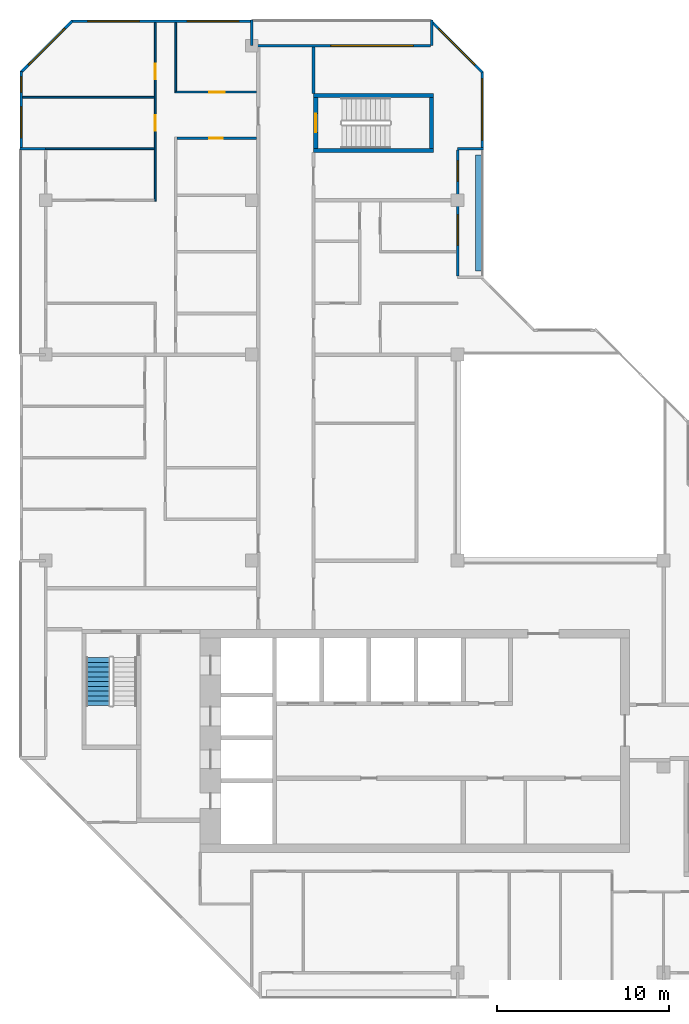
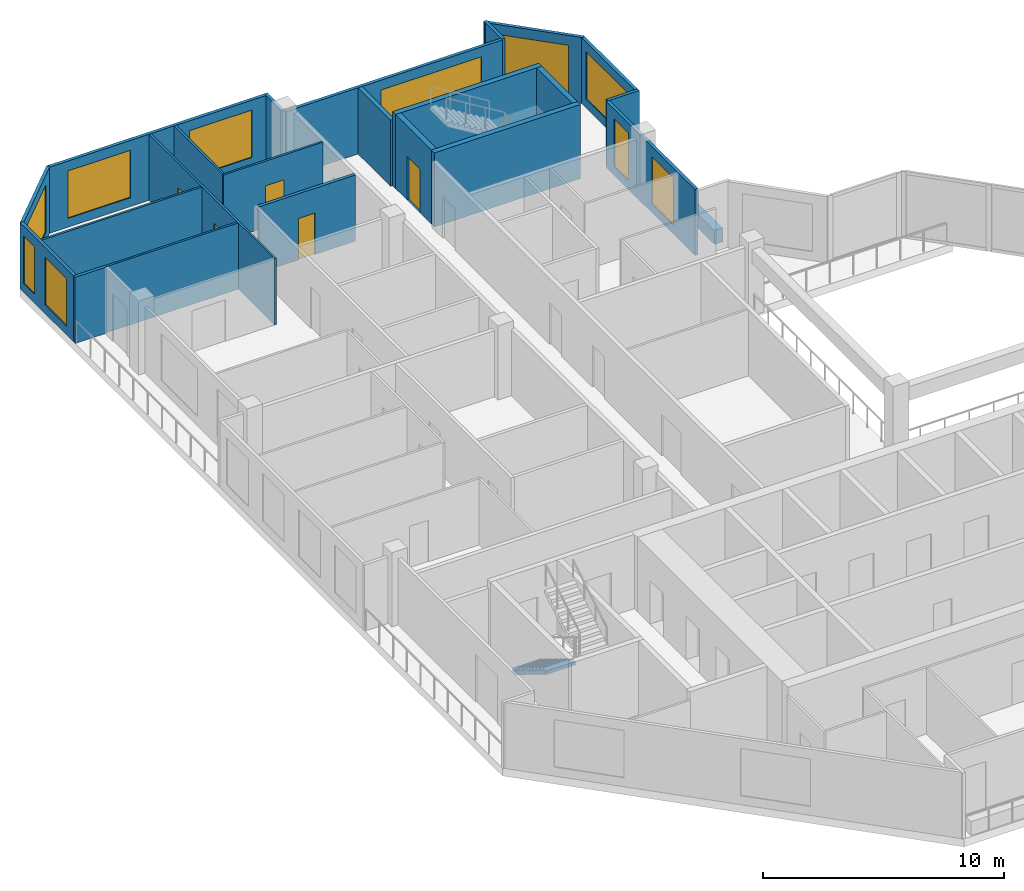
# One storey, part 9 of 12: 23 walls, 10 windows, 5 doors, 1 stair flight, 15 openings, 1 element without a shape of its own.
"""IFC4 building model written with IfcOpenShell, lengths in metres."""

from ifc_helpers import new_model, si_unit, direction, frame, frame_2d, origin, place, context, subcontext, project, spatial, polyline, rectangle, outline, extrude, material, layer, layer_set, type_object, element, fill, aggregate, save


model = new_model("IFC4")

# Units and contexts
model_context = context("Model", 3, precision=1e-05, world=origin(), true_north=direction((0.0, 1.0)))
body_context = subcontext(model_context, "Body", "Model", "MODEL_VIEW")
ifc_project = project(units=[si_unit("LENGTHUNIT", "METRE"), si_unit("AREAUNIT", "SQUARE_METRE"), si_unit("VOLUMEUNIT", "CUBIC_METRE"), si_unit("PLANEANGLEUNIT", "RADIAN"), si_unit("MASSUNIT", "GRAM", prefix="KILO")], contexts=[model_context])

# Site, building, storey
site_placement = place(None, origin())
site = spatial("IfcSite", under=ifc_project, at=site_placement, CompositionType="ELEMENT")
building_placement = place(site_placement, origin())
building = spatial("IfcBuilding", under=site, at=building_placement, Name="Chenar Terraces", CompositionType="ELEMENT")
storey_placement = place(building_placement, frame((0.0, 0.0, 365.14990234375)))
storey = spatial("IfcBuildingStorey", under=building, at=storey_placement, Name="L85", CompositionType="ELEMENT", Elevation=365.14990234375)

# Walls
ifc_material_1 = material(Name="Concrete C50/60", Category="concrete")
ifc_layer_1 = layer(ifc_material_1, 0.25)
ifc_layer_set_1 = layer_set([ifc_layer_1], Name="Concrete C50/60")
wall_type_1 = type_object("IfcWallType", Name="Core wall 250 Concrete C50/60", PredefinedType="SHEAR", material=ifc_layer_set_1)
for number, where, z_axis, x_axis, name in (
    (1, (15.60009765625, 47.89990234375, 0.0), (0.0, 0.0, 1.0), (1.0, 0.0, 0.0), "Core wall ST4_S L85"),
    (2, (15.60009765625, 51.10009765625, 0.0), (0.0, 0.0, 1.0), (1.0, 0.0, 0.0), "Core wall ST4_N L85"),
):
    element("IfcWall", number, at=place(storey_placement, frame(where, z_axis=z_axis, x_axis=x_axis)), inside=storey, type_object=wall_type_1, Name=name, PredefinedType="SHEAR", context=body_context, shape_type="SweptSolid", body=[
        extrude(rectangle(XDim=7.0, YDim=0.25, at=frame_2d((3.5, 0.0))), origin(), (0.0, 0.0, 1.0), 3.75),
    ])

# Wall, opening, door
wall_1_placement = place(storey_placement, frame((15.72509765625, 48.02490234375, 0.0), z_axis=(0.0, 0.0, 1.0), x_axis=(0.0, 1.0, 0.0)))
wall_1 = element("IfcWall", 3, at=wall_1_placement, inside=storey, type_object=wall_type_1, Name="Core wall ST4_W L85", PredefinedType="SHEAR", context=body_context, shape_type="SweptSolid", body=[
    extrude(rectangle(XDim=2.9501953125, YDim=0.25, at=frame_2d((1.47509765625, 0.0))), origin(), (0.0, 0.0, 1.0), 3.75),
])
opening_1_placement = place(wall_1_placement, frame((0.925048828125, 0.0, 0.0)))
opening_1 = element("IfcOpeningElement", 4, at=opening_1_placement, cuts=wall_1, Name="Opening DL85-C9", PredefinedType="OPENING", context=body_context, shape_type="SweptSolid", body=[
    extrude(rectangle(XDim=1.10009765625, YDim=2.199951171875, at=frame_2d((0.550048828125, 1.10009765625))), frame((0.0, 0.135009765625, 0.0), z_axis=(0.0, -1.0, 0.0), x_axis=(1.0, 0.0, 0.0)), (0.0, 0.0, 1.0), 0.27001953125),
])
ifc_material_2 = material(Name="Steel-framed fire-resisting door leaf", Category="steel")
door_type_1 = type_object("IfcDoorType", Name="Stair fire door FD60 1100 x 2200", OperationType="SINGLE_SWING_LEFT", PredefinedType="DOOR", material=ifc_material_2)
door_1_placement = place(opening_1_placement, frame((1.10009765625, 0.0, 0.0), z_axis=(0.0, 0.0, 1.0), x_axis=(-1.0, 0.0, 0.0)))
door_1 = element("IfcDoor", 5, at=door_1_placement, inside=storey, type_object=door_type_1, Name="Stair door DL85-C9", OperationType="SINGLE_SWING_RIGHT", OverallHeight=2.199951171875, OverallWidth=1.10009765625, PredefinedType="DOOR", context=body_context, shape_type="SweptSolid", body=[
    extrude(rectangle(XDim=1.10009765625, YDim=2.199951171875, at=frame_2d((0.550048828125, 1.10009765625))), frame((0.0, 0.02490234375, 0.0), z_axis=(0.0, -1.0, 0.0), x_axis=(1.0, 0.0, 0.0)), (0.0, 0.0, 1.0), 0.050048828125),
])
fill(opening_1, door_1)

# Walls
wall_2_placement = place(storey_placement, frame((22.47509765625, 48.02490234375, 0.0), z_axis=(0.0, 0.0, 1.0), x_axis=(0.0, 1.0, 0.0)))
element("IfcWall", 6, at=wall_2_placement, inside=storey, type_object=wall_type_1, Name="Core wall ST4_E L85", PredefinedType="SHEAR", context=body_context, shape_type="SweptSolid", body=[
    extrude(rectangle(XDim=2.9501953125, YDim=0.25, at=frame_2d((1.47509765625, 0.0))), origin(), (0.0, 0.0, 1.0), 3.75),
])
ifc_material_3 = material(Name="Gypsum board on steel studs with fire boards", Category="steel")
ifc_layer_2 = layer(ifc_material_3, 0.199951171875)
ifc_layer_set_2 = layer_set([ifc_layer_2], Name="Gypsum board on steel studs with fire boards")
wall_type_2 = type_object("IfcWallType", Name="Corridor wall 200", PredefinedType="PARTITIONING", material=ifc_layer_set_2)
wall_3_placement = place(storey_placement, frame((15.60009765625, 51.22509765625, 0.0), z_axis=(0.0, 0.0, 1.0), x_axis=(0.0, 1.0, 0.0)))
element("IfcWall", 7, at=wall_3_placement, inside=storey, type_object=wall_type_2, Name="Partition L85-033", PredefinedType="PARTITIONING", context=body_context, shape_type="SweptSolid", body=[
    extrude(rectangle(XDim=2.700927734375, YDim=0.199951171875, at=frame_2d((1.3505859375, 0.0))), origin(), (0.0, 0.0, 1.0), 3.35009765625),
])

# Wall, opening, window
ifc_material_4 = material(Name="Aluminium framed glazing", Category="aluminium")
ifc_layer_3 = layer(ifc_material_4, 0.14990234375)
ifc_layer_set_3 = layer_set([ifc_layer_3], Name="Aluminium framed glazing")
wall_type_3 = type_object("IfcWallType", Name="Glazed flush facade wall 150", PredefinedType="SOLIDWALL", material=ifc_layer_set_3)
wall_4_placement = place(storey_placement, frame((25.425048828125, 48.074951171875, 0.0), z_axis=(0.0, 0.0, 1.0), x_axis=(0.0, 1.0, 0.0)))
wall_4 = element("IfcWall", 8, at=wall_4_placement, inside=storey, type_object=wall_type_3, Name="Glazed flush facade wall", PredefinedType="SOLIDWALL", context=body_context, shape_type="SweptSolid", body=[
    extrude(rectangle(XDim=4.425048828125, YDim=0.14990234375, at=frame_2d((2.21240234375, 0.0))), origin(), (0.0, 0.0, 1.0), 3.35009765625),
])
opening_2_placement = place(wall_4_placement, frame((0.41259765625, 0.0, 0.449951171875)))
opening_2 = element("IfcOpeningElement", 9, at=opening_2_placement, cuts=wall_4, Name="Opening W360x240", PredefinedType="OPENING", context=body_context, shape_type="SweptSolid", body=[
    extrude(rectangle(XDim=3.60009765625, YDim=2.39990234375, at=frame_2d((1.800048828125, 1.199951171875))), frame((0.0, 0.0849609375, 0.0), z_axis=(0.0, -1.0, 0.0), x_axis=(1.0, 0.0, 0.0)), (0.0, 0.0, 1.0), 0.169921875),
])
ifc_material_5 = material(Name="Low emissivity double glazing, aluminium frame", Category="aluminium")
window_type_1 = type_object("IfcWindowType", Name="Fixed light 3600 x 2400", PartitioningType="SINGLE_PANEL", PredefinedType="WINDOW", material=ifc_material_5)
window_1_placement = place(opening_2_placement, origin())
window_1 = element("IfcWindow", 10, at=window_1_placement, inside=storey, type_object=window_type_1, Name="Window", OverallHeight=2.39990234375, OverallWidth=3.60009765625, PartitioningType="SINGLE_PANEL", PredefinedType="WINDOW", context=body_context, shape_type="SweptSolid", body=[
    extrude(rectangle(XDim=3.60009765625, YDim=2.39990234375, at=frame_2d((1.800048828125, 1.199951171875))), frame((0.0, 0.030029296875, 0.0), z_axis=(0.0, -1.0, 0.0), x_axis=(1.0, 0.0, 0.0)), (0.0, 0.0, 1.0), 0.06005859375),
])
fill(opening_2, window_1)

# Wall, openings, windows
wall_5_placement = place(storey_placement, frame((11.925048828125, 55.425048828125, 0.0), z_axis=(0.0, 0.0, 1.0), x_axis=(-1.0, 0.0, 0.0)))
wall_5 = element("IfcWall", 11, at=wall_5_placement, inside=storey, type_object=wall_type_3, Name="Glazed flush facade wall", PredefinedType="SOLIDWALL", context=body_context, shape_type="SweptSolid", body=[
    extrude(rectangle(XDim=10.425048828125, YDim=0.14990234375, at=frame_2d((5.21240234375, 0.0))), origin(), (0.0, 0.0, 1.0), 3.35009765625),
])
opening_3_placement = place(wall_5_placement, frame((0.675048828125, 0.0, 0.449951171875)))
opening_3 = element("IfcOpeningElement", 12, at=opening_3_placement, cuts=wall_5, Name="Opening W300x240", PredefinedType="OPENING", context=body_context, shape_type="SweptSolid", body=[
    extrude(rectangle(XDim=3.0, YDim=2.39990234375, at=frame_2d((1.5, 1.199951171875))), frame((0.0, 0.0849609375, 0.0), z_axis=(0.0, -1.0, 0.0), x_axis=(1.0, 0.0, 0.0)), (0.0, 0.0, 1.0), 0.169921875),
])
opening_4_placement = place(wall_5_placement, frame((6.487548828125, 0.0, 0.449951171875)))
opening_4 = element("IfcOpeningElement", 13, at=opening_4_placement, cuts=wall_5, Name="Opening W300x240", PredefinedType="OPENING", context=body_context, shape_type="SweptSolid", body=[
    extrude(rectangle(XDim=3.0, YDim=2.39990234375, at=frame_2d((1.5, 1.199951171875))), frame((0.0, 0.0849609375, 0.0), z_axis=(0.0, -1.0, 0.0), x_axis=(1.0, 0.0, 0.0)), (0.0, 0.0, 1.0), 0.169921875),
])
ifc_material_6 = material(Name="Low emissivity double glazing, aluminium frame", Category="aluminium")
window_type_2 = type_object("IfcWindowType", Name="Fixed light 3000 x 2400", PartitioningType="SINGLE_PANEL", PredefinedType="WINDOW", material=ifc_material_6)
window_2_placement = place(opening_3_placement, origin())
window_2 = element("IfcWindow", 14, at=window_2_placement, inside=storey, type_object=window_type_2, Name="Window", OverallHeight=2.39990234375, OverallWidth=3.0, PartitioningType="SINGLE_PANEL", PredefinedType="WINDOW", context=body_context, shape_type="SweptSolid", body=[
    extrude(rectangle(XDim=3.0, YDim=2.39990234375, at=frame_2d((1.5, 1.199951171875))), frame((0.0, 0.030029296875, 0.0), z_axis=(0.0, -1.0, 0.0), x_axis=(1.0, 0.0, 0.0)), (0.0, 0.0, 1.0), 0.06005859375),
])
fill(opening_3, window_2)
window_3_placement = place(opening_4_placement, origin())
window_3 = element("IfcWindow", 15, at=window_3_placement, inside=storey, type_object=window_type_2, Name="Window", OverallHeight=2.39990234375, OverallWidth=3.0, PartitioningType="SINGLE_PANEL", PredefinedType="WINDOW", context=body_context, shape_type="SweptSolid", body=[
    extrude(rectangle(XDim=3.0, YDim=2.39990234375, at=frame_2d((1.5, 1.199951171875))), frame((0.0, 0.030029296875, 0.0), z_axis=(0.0, -1.0, 0.0), x_axis=(1.0, 0.0, 0.0)), (0.0, 0.0, 1.0), 0.06005859375),
])
fill(opening_4, window_3)

wall_6_placement = place(storey_placement, frame((-1.425048828125, 52.5, 0.0), z_axis=(0.0, 0.0, 1.0), x_axis=(0.0, -1.0, 0.0)))
wall_6 = element("IfcWall", 16, at=wall_6_placement, inside=storey, type_object=wall_type_3, Name="Glazed flush facade wall", PredefinedType="SOLIDWALL", context=body_context, shape_type="SweptSolid", body=[
    extrude(rectangle(XDim=4.425048828125, YDim=0.14990234375, at=frame_2d((2.21240234375, 0.0))), origin(), (0.0, 0.0, 1.0), 3.35009765625),
])
opening_5_placement = place(wall_6_placement, frame((0.300048828125, 0.0, 0.449951171875)))
opening_5 = element("IfcOpeningElement", 17, at=opening_5_placement, cuts=wall_6, Name="Opening W90x240", PredefinedType="OPENING", context=body_context, shape_type="SweptSolid", body=[
    extrude(rectangle(XDim=0.89990234375, YDim=2.39990234375, at=frame_2d((0.449951171875, 1.199951171875))), frame((0.0, 0.0849609375, 0.0), z_axis=(0.0, -1.0, 0.0), x_axis=(1.0, 0.0, 0.0)), (0.0, 0.0, 1.0), 0.169921875),
])
opening_6_placement = place(wall_6_placement, frame((2.0625, 0.0, 0.449951171875)))
opening_6 = element("IfcOpeningElement", 18, at=opening_6_placement, cuts=wall_6, Name="Opening W180x240", PredefinedType="OPENING", context=body_context, shape_type="SweptSolid", body=[
    extrude(rectangle(XDim=1.800048828125, YDim=2.39990234375, at=frame_2d((0.89990234375, 1.199951171875))), frame((0.0, 0.0849609375, 0.0), z_axis=(0.0, -1.0, 0.0), x_axis=(1.0, 0.0, 0.0)), (0.0, 0.0, 1.0), 0.169921875),
])
ifc_material_7 = material(Name="Low emissivity double glazing, aluminium frame", Category="aluminium")
window_type_3 = type_object("IfcWindowType", Name="Fixed light 1800 x 2400", PartitioningType="SINGLE_PANEL", PredefinedType="WINDOW", material=ifc_material_7)
window_4_placement = place(opening_6_placement, origin())
window_4 = element("IfcWindow", 19, at=window_4_placement, inside=storey, type_object=window_type_3, Name="Window", OverallHeight=2.39990234375, OverallWidth=1.800048828125, PartitioningType="SINGLE_PANEL", PredefinedType="WINDOW", context=body_context, shape_type="SweptSolid", body=[
    extrude(rectangle(XDim=1.800048828125, YDim=2.39990234375, at=frame_2d((0.89990234375, 1.199951171875))), frame((0.0, 0.030029296875, 0.0), z_axis=(0.0, -1.0, 0.0), x_axis=(1.0, 0.0, 0.0)), (0.0, 0.0, 1.0), 0.06005859375),
])
fill(opening_6, window_4)
ifc_material_8 = material(Name="Low emissivity double glazing, aluminium frame", Category="aluminium")
window_type_4 = type_object("IfcWindowType", Name="Fixed light 900 x 2400", PartitioningType="SINGLE_PANEL", PredefinedType="WINDOW", material=ifc_material_8)
window_5_placement = place(opening_5_placement, origin())
window_5 = element("IfcWindow", 20, at=window_5_placement, inside=storey, type_object=window_type_4, Name="Window", OverallHeight=2.39990234375, OverallWidth=0.89990234375, PartitioningType="SINGLE_PANEL", PredefinedType="WINDOW", context=body_context, shape_type="SweptSolid", body=[
    extrude(rectangle(XDim=0.89990234375, YDim=2.39990234375, at=frame_2d((0.449951171875, 1.199951171875))), frame((0.0, 0.030029296875, 0.0), z_axis=(0.0, -1.0, 0.0), x_axis=(1.0, 0.0, 0.0)), (0.0, 0.0, 1.0), 0.06005859375),
])
fill(opening_5, window_5)

ifc_material_9 = material(Name="Aluminium framed glazing", Category="aluminium")
ifc_layer_4 = layer(ifc_material_9, 0.14990234375)
ifc_layer_set_4 = layer_set([ifc_layer_4], Name="Aluminium framed glazing")
wall_type_4 = type_object("IfcWallType", Name="Glazed loggia back wall 150", PredefinedType="SOLIDWALL", material=ifc_layer_set_4)
wall_7_placement = place(storey_placement, frame((24.0, 40.574951171875, 0.0), z_axis=(0.0, 0.0, 1.0), x_axis=(0.0, 1.0, 0.0)))
wall_7 = element("IfcWall", 21, at=wall_7_placement, inside=storey, type_object=wall_type_4, Name="Glazed loggia back wall", PredefinedType="SOLIDWALL", context=body_context, shape_type="SweptSolid", body=[
    extrude(rectangle(XDim=7.35009765625, YDim=0.14990234375, at=frame_2d((3.675048828125, 0.0))), origin(), (0.0, 0.0, 1.0), 3.35009765625),
])
opening_7_placement = place(wall_7_placement, frame((1.78759765625, 0.0, 0.449951171875)))
opening_7 = element("IfcOpeningElement", 22, at=opening_7_placement, cuts=wall_7, Name="Opening W180x240", PredefinedType="OPENING", context=body_context, shape_type="SweptSolid", body=[
    extrude(rectangle(XDim=1.800048828125, YDim=2.39990234375, at=frame_2d((0.89990234375, 1.199951171875))), frame((0.0, 0.0849609375, 0.0), z_axis=(0.0, -1.0, 0.0), x_axis=(1.0, 0.0, 0.0)), (0.0, 0.0, 1.0), 0.169921875),
])
opening_8_placement = place(wall_7_placement, frame((5.52490234375, 0.0, 0.449951171875)))
opening_8 = element("IfcOpeningElement", 23, at=opening_8_placement, cuts=wall_7, Name="Opening W120x240", PredefinedType="OPENING", context=body_context, shape_type="SweptSolid", body=[
    extrude(rectangle(XDim=1.199951171875, YDim=2.39990234375, at=frame_2d((0.60009765625, 1.199951171875))), frame((0.0, 0.0849609375, 0.0), z_axis=(0.0, -1.0, 0.0), x_axis=(1.0, 0.0, 0.0)), (0.0, 0.0, 1.0), 0.169921875),
])
ifc_material_10 = material(Name="Low emissivity double glazing, aluminium frame", Category="aluminium")
window_type_5 = type_object("IfcWindowType", Name="Fixed light 1200 x 2400", PartitioningType="SINGLE_PANEL", PredefinedType="WINDOW", material=ifc_material_10)
window_6_placement = place(opening_8_placement, origin())
window_6 = element("IfcWindow", 24, at=window_6_placement, inside=storey, type_object=window_type_5, Name="Window", OverallHeight=2.39990234375, OverallWidth=1.199951171875, PartitioningType="SINGLE_PANEL", PredefinedType="WINDOW", context=body_context, shape_type="SweptSolid", body=[
    extrude(rectangle(XDim=1.199951171875, YDim=2.39990234375, at=frame_2d((0.60009765625, 1.199951171875))), frame((0.0, 0.030029296875, 0.0), z_axis=(0.0, -1.0, 0.0), x_axis=(1.0, 0.0, 0.0)), (0.0, 0.0, 1.0), 0.06005859375),
])
fill(opening_8, window_6)
window_7_placement = place(opening_7_placement, origin())
window_7 = element("IfcWindow", 25, at=window_7_placement, inside=storey, type_object=window_type_3, Name="Window", OverallHeight=2.39990234375, OverallWidth=1.800048828125, PartitioningType="SINGLE_PANEL", PredefinedType="WINDOW", context=body_context, shape_type="SweptSolid", body=[
    extrude(rectangle(XDim=1.800048828125, YDim=2.39990234375, at=frame_2d((0.89990234375, 1.199951171875))), frame((0.0, 0.030029296875, 0.0), z_axis=(0.0, -1.0, 0.0), x_axis=(1.0, 0.0, 0.0)), (0.0, 0.0, 1.0), 0.06005859375),
])
fill(opening_7, window_7)

# Wall, opening, window
wall_8_placement = place(storey_placement, frame((22.425048828125, 54.0, 0.0), z_axis=(0.0, 0.0, 1.0), x_axis=(-1.0, 0.0, 0.0)))
wall_8 = element("IfcWall", 26, at=wall_8_placement, inside=storey, type_object=wall_type_4, Name="Glazed loggia back wall", PredefinedType="SOLIDWALL", context=body_context, shape_type="SweptSolid", body=[
    extrude(rectangle(XDim=10.35009765625, YDim=0.14990234375, at=frame_2d((5.175048828125, 0.0))), origin(), (0.0, 0.0, 1.0), 3.35009765625),
])
opening_9_placement = place(wall_8_placement, frame((1.012451171875, 0.0, 0.449951171875)))
opening_9 = element("IfcOpeningElement", 27, at=opening_9_placement, cuts=wall_8, Name="Opening W480x240", PredefinedType="OPENING", context=body_context, shape_type="SweptSolid", body=[
    extrude(rectangle(XDim=4.800048828125, YDim=2.39990234375, at=frame_2d((2.39990234375, 1.199951171875))), frame((0.0, 0.0849609375, 0.0), z_axis=(0.0, -1.0, 0.0), x_axis=(1.0, 0.0, 0.0)), (0.0, 0.0, 1.0), 0.169921875),
])
ifc_material_11 = material(Name="Low emissivity double glazing, aluminium frame", Category="aluminium")
window_type_6 = type_object("IfcWindowType", Name="Fixed light 4800 x 2400", PartitioningType="SINGLE_PANEL", PredefinedType="WINDOW", material=ifc_material_11)
window_8_placement = place(opening_9_placement, origin())
window_8 = element("IfcWindow", 28, at=window_8_placement, inside=storey, type_object=window_type_6, Name="Window", OverallHeight=2.39990234375, OverallWidth=4.800048828125, PartitioningType="SINGLE_PANEL", PredefinedType="WINDOW", context=body_context, shape_type="SweptSolid", body=[
    extrude(rectangle(XDim=4.800048828125, YDim=2.39990234375, at=frame_2d((2.39990234375, 1.199951171875))), frame((0.0, 0.030029296875, 0.0), z_axis=(0.0, -1.0, 0.0), x_axis=(1.0, 0.0, 0.0)), (0.0, 0.0, 1.0), 0.06005859375),
])
fill(opening_9, window_8)

# Walls
ifc_material_12 = material(Name="Gypsum board on steel studs", Category="steel")
ifc_layer_5 = layer(ifc_material_12, 0.10009765625)
ifc_layer_set_5 = layer_set([ifc_layer_5], Name="Gypsum board on steel studs")
wall_type_5 = type_object("IfcWallType", Name="Gypsum partition 100", PredefinedType="PARTITIONING", material=ifc_layer_set_5)
wall_9_placement = place(storey_placement, frame((0.0, 48.0, 0.0), z_axis=(0.0, 0.0, 1.0), x_axis=(1.0, 0.0, 0.0)))
element("IfcWall", 29, at=wall_9_placement, inside=storey, type_object=wall_type_5, Name="Partition L85-005", PredefinedType="PARTITIONING", context=body_context, shape_type="SweptSolid", body=[
    extrude(rectangle(XDim=6.324951171875, YDim=0.10009765625, at=frame_2d((3.16259765625, 0.0))), origin(), (0.0, 0.0, 1.0), 3.35009765625),
])
wall_10_placement = place(storey_placement, frame((-1.35009765625, 51.0, 0.0), z_axis=(0.0, 0.0, 1.0), x_axis=(1.0, 0.0, 0.0)))
element("IfcWall", 30, at=wall_10_placement, inside=storey, type_object=wall_type_5, Name="Partition L85-006", PredefinedType="PARTITIONING", context=body_context, shape_type="SweptSolid", body=[
    extrude(rectangle(XDim=7.675048828125, YDim=0.10009765625, at=frame_2d((3.83740234375, 0.0))), origin(), (0.0, 0.0, 1.0), 3.35009765625),
])

# Wall, openings, doors
wall_11_placement = place(storey_placement, frame((6.375, 44.949951171875, 0.0), z_axis=(0.0, 0.0, 1.0), x_axis=(0.0, 1.0, 0.0)))
wall_11 = element("IfcWall", 31, at=wall_11_placement, inside=storey, type_object=wall_type_5, Name="Partition L85-015", PredefinedType="PARTITIONING", context=body_context, shape_type="SweptSolid", body=[
    extrude(rectangle(XDim=10.400146484375, YDim=0.10009765625, at=frame_2d((5.2001953125, 0.0))), origin(), (0.0, 0.0, 1.0), 3.35009765625),
])
opening_10_placement = place(wall_11_placement, frame((7.10009765625, 0.0, 0.0)))
opening_10 = element("IfcOpeningElement", 32, at=opening_10_placement, cuts=wall_11, Name="Opening DL85-11", PredefinedType="OPENING", context=body_context, shape_type="SweptSolid", body=[
    extrude(rectangle(XDim=0.89990234375, YDim=2.10009765625, at=frame_2d((0.449951171875, 1.050048828125))), frame((0.0, 0.06005859375, 0.0), z_axis=(0.0, -1.0, 0.0), x_axis=(1.0, 0.0, 0.0)), (0.0, 0.0, 1.0), 0.1201171875),
])
opening_11_placement = place(wall_11_placement, frame((4.10009765625, 0.0, 0.0)))
opening_11 = element("IfcOpeningElement", 33, at=opening_11_placement, cuts=wall_11, Name="Opening DL85-16", PredefinedType="OPENING", context=body_context, shape_type="SweptSolid", body=[
    extrude(rectangle(XDim=0.89990234375, YDim=2.10009765625, at=frame_2d((0.449951171875, 1.050048828125))), frame((0.0, 0.06005859375, 0.0), z_axis=(0.0, -1.0, 0.0), x_axis=(1.0, 0.0, 0.0)), (0.0, 0.0, 1.0), 0.1201171875),
])
ifc_material_13 = material(Name="Veneered timber door leaf", Category="wood")
door_type_2 = type_object("IfcDoorType", Name="Door 900 x 2100", OperationType="SINGLE_SWING_LEFT", PredefinedType="DOOR", material=ifc_material_13)
door_2_placement = place(opening_10_placement, origin())
door_2 = element("IfcDoor", 34, at=door_2_placement, inside=storey, type_object=door_type_2, Name="Door DL85-11", OperationType="SINGLE_SWING_LEFT", OverallHeight=2.10009765625, OverallWidth=0.89990234375, PredefinedType="DOOR", context=body_context, shape_type="SweptSolid", body=[
    extrude(rectangle(XDim=0.89990234375, YDim=2.10009765625, at=frame_2d((0.449951171875, 1.050048828125))), frame((0.0, 0.02490234375, 0.0), z_axis=(0.0, -1.0, 0.0), x_axis=(1.0, 0.0, 0.0)), (0.0, 0.0, 1.0), 0.050048828125),
])
fill(opening_10, door_2)
door_3_placement = place(opening_11_placement, origin())
door_3 = element("IfcDoor", 35, at=door_3_placement, inside=storey, type_object=door_type_2, Name="Door DL85-16", OperationType="SINGLE_SWING_LEFT", OverallHeight=2.10009765625, OverallWidth=0.89990234375, PredefinedType="DOOR", context=body_context, shape_type="SweptSolid", body=[
    extrude(rectangle(XDim=0.89990234375, YDim=2.10009765625, at=frame_2d((0.449951171875, 1.050048828125))), frame((0.0, 0.02490234375, 0.0), z_axis=(0.0, -1.0, 0.0), x_axis=(1.0, 0.0, 0.0)), (0.0, 0.0, 1.0), 0.050048828125),
])
fill(opening_11, door_3)

# Wall, opening, door
wall_12_placement = place(storey_placement, frame((7.52490234375, 51.300048828125, 0.0), z_axis=(0.0, 0.0, 1.0), x_axis=(1.0, 0.0, 0.0)))
wall_12 = element("IfcWall", 36, at=wall_12_placement, inside=storey, type_object=wall_type_5, Name="Partition L85-019", PredefinedType="PARTITIONING", context=body_context, shape_type="SweptSolid", body=[
    extrude(rectangle(XDim=4.75, YDim=0.10009765625, at=frame_2d((2.375, 0.0))), origin(), (0.0, 0.0, 1.0), 3.35009765625),
])
opening_12_placement = place(wall_12_placement, frame((2.0, 0.0, 0.0)))
opening_12 = element("IfcOpeningElement", 37, at=opening_12_placement, cuts=wall_12, Name="Opening DL85-12", PredefinedType="OPENING", context=body_context, shape_type="SweptSolid", body=[
    extrude(rectangle(XDim=0.89990234375, YDim=2.10009765625, at=frame_2d((0.449951171875, 1.050048828125))), frame((0.0, 0.06005859375, 0.0), z_axis=(0.0, -1.0, 0.0), x_axis=(1.0, 0.0, 0.0)), (0.0, 0.0, 1.0), 0.1201171875),
])
door_4_placement = place(opening_12_placement, origin())
door_4 = element("IfcDoor", 38, at=door_4_placement, inside=storey, type_object=door_type_2, Name="Door DL85-12", OperationType="SINGLE_SWING_RIGHT", OverallHeight=2.10009765625, OverallWidth=0.89990234375, PredefinedType="DOOR", context=body_context, shape_type="SweptSolid", body=[
    extrude(rectangle(XDim=0.89990234375, YDim=2.10009765625, at=frame_2d((0.449951171875, 1.050048828125))), frame((0.0, 0.02490234375, 0.0), z_axis=(0.0, -1.0, 0.0), x_axis=(1.0, 0.0, 0.0)), (0.0, 0.0, 1.0), 0.050048828125),
])
fill(opening_12, door_4)

# Walls
wall_13_placement = place(storey_placement, frame((7.574951171875, 51.35009765625, 0.0), z_axis=(0.0, 0.0, 1.0), x_axis=(0.0, 1.0, 0.0)))
element("IfcWall", 39, at=wall_13_placement, inside=storey, type_object=wall_type_5, Name="Partition L85-021", PredefinedType="PARTITIONING", context=body_context, shape_type="SweptSolid", body=[
    extrude(rectangle(XDim=4.0, YDim=0.10009765625, at=frame_2d((2.0, 0.0))), origin(), (0.0, 0.0, 1.0), 3.35009765625),
])
ifc_material_14 = material(Name="Terracotta cladding on insulated backing", Category="masonry")
ifc_layer_6 = layer(ifc_material_14, 0.14990234375)
ifc_layer_set_6 = layer_set([ifc_layer_6], Name="Terracotta cladding on insulated backing")
wall_type_6 = type_object("IfcWallType", Name="Loggia return wall 150", PredefinedType="SOLIDWALL", material=ifc_layer_set_6)
for number, where, z_axis, x_axis, name in (
    (40, (25.5, 48.0, 0.0), (0.0, 0.0, 1.0), (-1.0, 0.0, 0.0), "Loggia return wall"),
    (41, (22.5, 55.5, 0.0), (0.0, 0.0, 1.0), (0.0, -1.0, 0.0), "Loggia return wall"),
    (42, (12.0, 55.5, 0.0), (0.0, 0.0, 1.0), (0.0, -1.0, 0.0), "Loggia return wall"),
    (43, (-1.5, 48.0, 0.0), (0.0, 0.0, 1.0), (1.0, 0.0, 0.0), "Loggia return wall"),
):
    element("IfcWall", number, at=place(storey_placement, frame(where, z_axis=z_axis, x_axis=x_axis)), inside=storey, type_object=wall_type_6, Name=name, PredefinedType="SOLIDWALL", context=body_context, shape_type="SweptSolid", body=[
        extrude(rectangle(XDim=1.5, YDim=0.14990234375, at=frame_2d((0.75, 0.0))), origin(), (0.0, 0.0, 1.0), 3.35009765625),
    ])

# Wall, opening, window
ifc_material_15 = material(Name="Terracotta cladding on insulated backing", Category="masonry")
ifc_layer_7 = layer(ifc_material_15, 0.14990234375)
ifc_layer_set_7 = layer_set([ifc_layer_7], Name="Terracotta cladding on insulated backing")
wall_type_7 = type_object("IfcWallType", Name="Terracotta rainscreen wall 150", PredefinedType="SOLIDWALL", material=ifc_layer_set_7)
wall_14_placement = place(storey_placement, frame((25.447021484375, 52.447021484375, 0.0), z_axis=(0.0, 0.0, 1.0), x_axis=(-0.707106781187, 0.707106781187, 0.0)))
wall_14 = element("IfcWall", 44, at=wall_14_placement, inside=storey, type_object=wall_type_7, Name="Terracotta rainscreen wall", PredefinedType="SOLIDWALL", context=body_context, shape_type="SweptSolid", body=[
    extrude(rectangle(XDim=4.24267578125, YDim=0.14990234375, at=frame_2d((2.121337890625, 0.0))), origin(), (0.0, 0.0, 1.0), 3.35009765625),
])
opening_13_placement = place(wall_14_placement, frame((0.621337890625, 0.0, 0.449951171875)))
opening_13 = element("IfcOpeningElement", 45, at=opening_13_placement, cuts=wall_14, Name="Opening W300x240", PredefinedType="OPENING", context=body_context, shape_type="SweptSolid", body=[
    extrude(rectangle(XDim=3.0, YDim=2.39990234375, at=frame_2d((1.5, 1.199951171875))), frame((0.0, 0.0849609375, 0.0), z_axis=(0.0, -1.0, 0.0), x_axis=(1.0, 0.0, 0.0)), (0.0, 0.0, 1.0), 0.169921875),
])
window_9_placement = place(opening_13_placement, origin())
window_9 = element("IfcWindow", 46, at=window_9_placement, inside=storey, type_object=window_type_2, Name="Window", OverallHeight=2.39990234375, OverallWidth=3.0, PartitioningType="SINGLE_PANEL", PredefinedType="WINDOW", context=body_context, shape_type="SweptSolid", body=[
    extrude(rectangle(XDim=3.0, YDim=2.39990234375, at=frame_2d((1.5, 1.199951171875))), frame((0.0, 0.030029296875, 0.0), z_axis=(0.0, -1.0, 0.0), x_axis=(1.0, 0.0, 0.0)), (0.0, 0.0, 1.0), 0.06005859375),
])
fill(opening_13, window_9)

wall_15_placement = place(storey_placement, frame((1.552978515625, 55.447021484375, 0.0), z_axis=(0.0, 0.0, 1.0), x_axis=(-0.707106781187, -0.707106781187, 0.0)))
wall_15 = element("IfcWall", 47, at=wall_15_placement, inside=storey, type_object=wall_type_7, Name="Terracotta rainscreen wall", PredefinedType="SOLIDWALL", context=body_context, shape_type="SweptSolid", body=[
    extrude(rectangle(XDim=4.24267578125, YDim=0.14990234375, at=frame_2d((2.121337890625, 0.0))), origin(), (0.0, 0.0, 1.0), 3.35009765625),
])
opening_14_placement = place(wall_15_placement, frame((0.621337890625, 0.0, 0.449951171875)))
opening_14 = element("IfcOpeningElement", 48, at=opening_14_placement, cuts=wall_15, Name="Opening W300x240", PredefinedType="OPENING", context=body_context, shape_type="SweptSolid", body=[
    extrude(rectangle(XDim=3.0, YDim=2.39990234375, at=frame_2d((1.5, 1.199951171875))), frame((0.0, 0.0849609375, 0.0), z_axis=(0.0, -1.0, 0.0), x_axis=(1.0, 0.0, 0.0)), (0.0, 0.0, 1.0), 0.169921875),
])
window_10_placement = place(opening_14_placement, origin())
window_10 = element("IfcWindow", 49, at=window_10_placement, inside=storey, type_object=window_type_2, Name="Window", OverallHeight=2.39990234375, OverallWidth=3.0, PartitioningType="SINGLE_PANEL", PredefinedType="WINDOW", context=body_context, shape_type="SweptSolid", body=[
    extrude(rectangle(XDim=3.0, YDim=2.39990234375, at=frame_2d((1.5, 1.199951171875))), frame((0.0, 0.030029296875, 0.0), z_axis=(0.0, -1.0, 0.0), x_axis=(1.0, 0.0, 0.0)), (0.0, 0.0, 1.0), 0.06005859375),
])
fill(opening_14, window_10)

# Wall
ifc_material_16 = material(Name="GRP planter trough")
ifc_layer_8 = layer(ifc_material_16, 0.39990234375)
ifc_layer_set_8 = layer_set([ifc_layer_8], Name="GRP planter trough")
wall_type_8 = type_object("IfcWallType", Name="Vertical greenery planter 400", PredefinedType="SOLIDWALL", material=ifc_layer_set_8)
wall_16_placement = place(storey_placement, frame((25.22900390625, 40.875, 0.0), z_axis=(0.0, 0.0, 1.0), x_axis=(0.0, 1.0, 0.0)))
element("IfcWall", 50, at=wall_16_placement, inside=storey, type_object=wall_type_8, Name="Vertical greenery planter", PredefinedType="SOLIDWALL", context=body_context, shape_type="SweptSolid", body=[
    extrude(rectangle(XDim=6.75, YDim=0.39990234375, at=frame_2d((3.375, 0.0))), origin(), (0.0, 0.0, 1.0), 0.7001953125),
])

# Wall, opening, door
ifc_material_17 = material(Name="Moisture-resistant gypsum board on steel studs", Category="steel")
ifc_layer_9 = layer(ifc_material_17, 0.14990234375)
ifc_layer_set_9 = layer_set([ifc_layer_9], Name="Moisture-resistant gypsum board on steel studs")
wall_type_9 = type_object("IfcWallType", Name="Wet-room partition 150", PredefinedType="PARTITIONING", material=ifc_layer_set_9)
wall_17_placement = place(storey_placement, frame((7.64990234375, 48.60009765625, 0.0), z_axis=(0.0, 0.0, 1.0), x_axis=(1.0, 0.0, 0.0)))
wall_17 = element("IfcWall", 51, at=wall_17_placement, inside=storey, type_object=wall_type_9, Name="Partition L85-025", PredefinedType="PARTITIONING", context=body_context, shape_type="SweptSolid", body=[
    extrude(rectangle(XDim=4.625, YDim=0.14990234375, at=frame_2d((2.3125, 0.0))), origin(), (0.0, 0.0, 1.0), 3.35009765625),
])
opening_15_placement = place(wall_17_placement, frame((1.875, 0.0, 0.0)))
opening_15 = element("IfcOpeningElement", 52, at=opening_15_placement, cuts=wall_17, Name="Opening DL85-9", PredefinedType="OPENING", context=body_context, shape_type="SweptSolid", body=[
    extrude(rectangle(XDim=0.800048828125, YDim=2.10009765625, at=frame_2d((0.39990234375, 1.050048828125))), frame((0.0, 0.0849609375, 0.0), z_axis=(0.0, -1.0, 0.0), x_axis=(1.0, 0.0, 0.0)), (0.0, 0.0, 1.0), 0.169921875),
])
ifc_material_18 = material(Name="Veneered timber door leaf", Category="wood")
door_type_3 = type_object("IfcDoorType", Name="Door 800 x 2100", OperationType="SINGLE_SWING_LEFT", PredefinedType="DOOR", material=ifc_material_18)
door_5_placement = place(opening_15_placement, frame((0.800048828125, 0.0, 0.0), z_axis=(0.0, 0.0, 1.0), x_axis=(-1.0, 0.0, 0.0)))
door_5 = element("IfcDoor", 53, at=door_5_placement, inside=storey, type_object=door_type_3, Name="Door DL85-9", OperationType="SINGLE_SWING_RIGHT", OverallHeight=2.10009765625, OverallWidth=0.800048828125, PredefinedType="DOOR", context=body_context, shape_type="SweptSolid", body=[
    extrude(rectangle(XDim=0.800048828125, YDim=2.10009765625, at=frame_2d((0.39990234375, 1.050048828125))), frame((0.0, 0.02490234375, 0.0), z_axis=(0.0, -1.0, 0.0), x_axis=(1.0, 0.0, 0.0)), (0.0, 0.0, 1.0), 0.050048828125),
])
fill(opening_15, door_5)

# Stair, stair flight
ifc_material_19 = material(Name="Reinforced concrete C40/50", Category="concrete")
stair_type = type_object("IfcStairType", Name="Core stair 1400 half-turn", PredefinedType="HALF_TURN_STAIR", material=ifc_material_19)
stair_placement = place(storey_placement, origin())
stair = element("IfcStair", 54, at=stair_placement, inside=storey, type_object=stair_type, Name="L85 Stair 1", PredefinedType="HALF_TURN_STAIR")
ifc_material_20 = material(Name="Reinforced concrete C40/50", Category="concrete")
stair_flight_type = type_object("IfcStairFlightType", Name="Core stair flight 1400", PredefinedType="STRAIGHT", material=ifc_material_20)
stair_flight_placement = place(storey_placement, frame((3.050048828125, 18.35009765625, 0.0), z_axis=(0.0, 0.0, 1.0), x_axis=(0.0, -1.0, 0.0)))
stair_flight = element("IfcStairFlight", 55, at=stair_flight_placement, type_object=stair_flight_type, Name="ST1 flight 1", NumberOfRisers=11, NumberOfTreads=10, PredefinedType="STRAIGHT", RiserHeight=0.170454545, TreadLength=0.28, context=body_context, shape_type="SweptSolid", body=[
    extrude(outline(polyline([(-0.0029296875, 0.0), (-0.0029296875, 0.17041015625), (0.0, 0.17041015625), (0.280029296875, 0.17041015625), (0.280029296875, 0.3408203125), (0.56005859375, 0.3408203125), (0.56005859375, 0.511474609375), (0.840087890625, 0.511474609375), (0.840087890625, 0.681884765625), (1.1201171875, 0.681884765625), (1.1201171875, 0.852294921875), (1.39990234375, 0.852294921875), (1.39990234375, 1.022705078125), (1.679931640625, 1.022705078125), (1.679931640625, 1.193115234375), (1.9599609375, 1.193115234375), (1.9599609375, 1.363525390625), (2.239990234375, 1.363525390625), (2.239990234375, 1.5341796875), (2.52001953125, 1.5341796875), (2.52001953125, 1.70458984375), (2.800048828125, 1.70458984375), (2.802978515625, 1.70458984375), (2.802978515625, 1.529052734375), (2.800048828125, 1.529052734375), (0.288330078125, 0.0), (-0.0029296875, 0.0)])), frame((0.0, 0.699951171875, 0.0), z_axis=(0.0, -1.0, 0.0), x_axis=(1.0, 0.0, 0.0)), (0.0, 0.0, 1.0), 1.39990234375),
])
aggregate(stair, [stair_flight])

save(model, "model.ifc")
